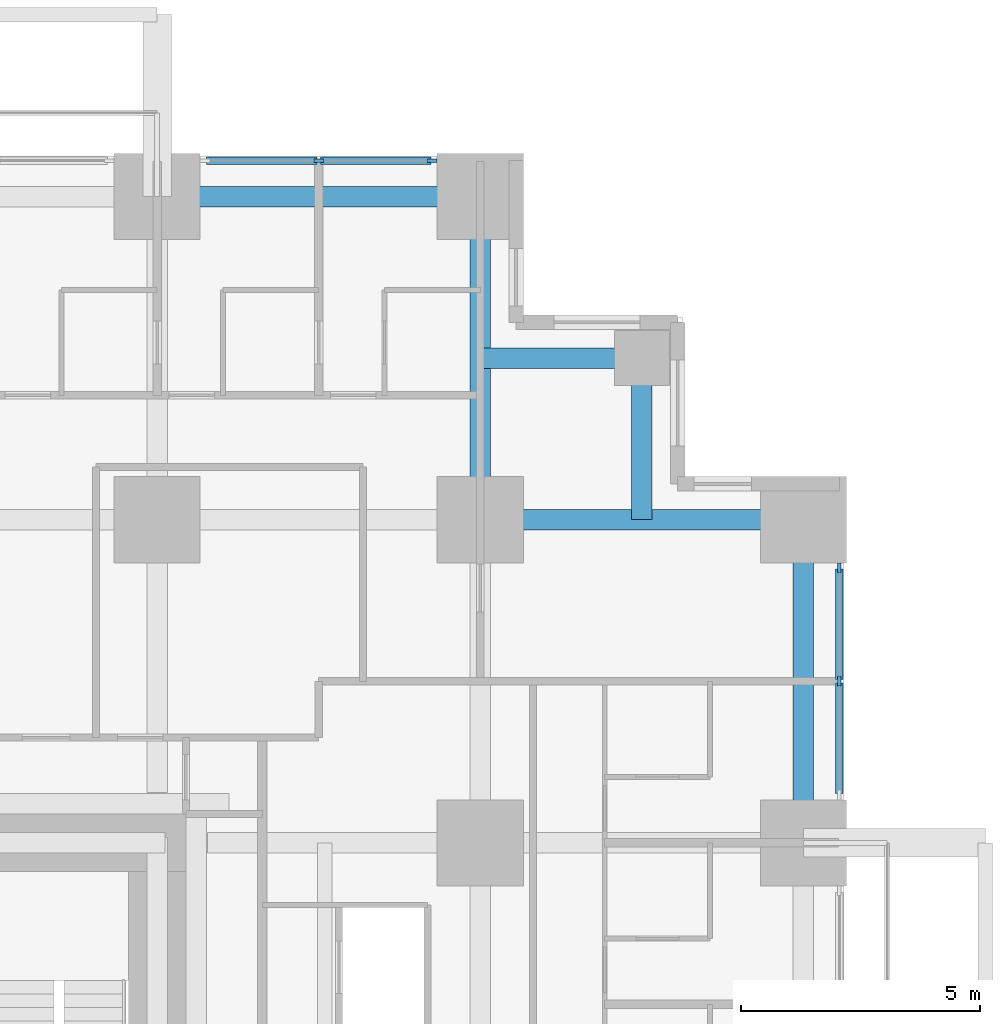
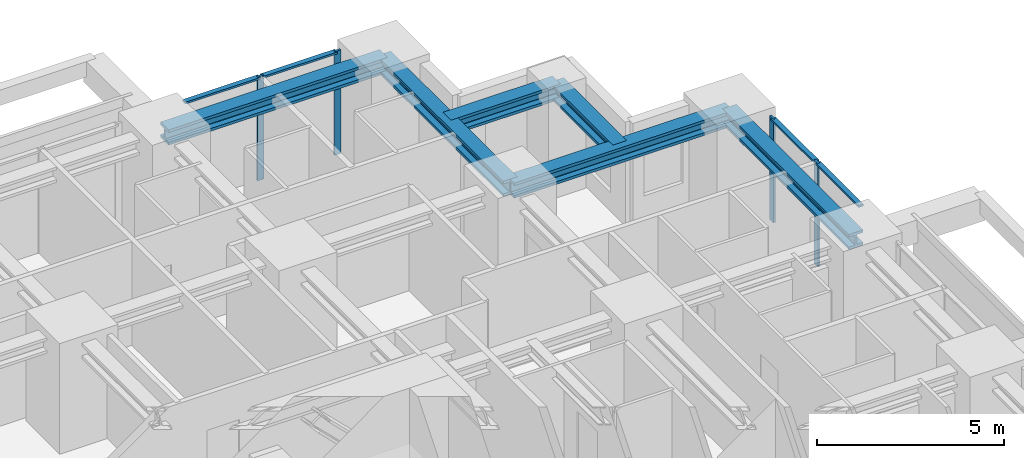
# One storey, part 6 of 15: 8 members, 6 beams, 2 elements without a shape of their own.
"""IFC4 building model written with IfcOpenShell, lengths in metres."""

from ifc_helpers import new_model, si_unit, direction, frame, origin, origin_2d, place, context, subcontext, project, spatial, rectangle, i_section, extrude, material, material_profile, profile_set, type_object, element, aggregate, save


model = new_model("IFC4")

# Units and contexts
model_context = context("Model", 3, precision=1e-05, world=origin(), true_north=direction((0.0, 1.0)))
body_context = subcontext(model_context, "Body", "Model", "MODEL_VIEW")
ifc_project = project(units=[si_unit("LENGTHUNIT", "METRE"), si_unit("AREAUNIT", "SQUARE_METRE"), si_unit("VOLUMEUNIT", "CUBIC_METRE"), si_unit("PLANEANGLEUNIT", "RADIAN"), si_unit("MASSUNIT", "GRAM", prefix="KILO")], contexts=[model_context])

# Site, building, storey
site_placement = place(None, origin())
site = spatial("IfcSite", under=ifc_project, at=site_placement, CompositionType="ELEMENT")
building_placement = place(site_placement, origin())
building = spatial("IfcBuilding", under=site, at=building_placement, Name="Nyansa Garden Tower", CompositionType="ELEMENT")
storey_placement = place(building_placement, frame((0.0, 0.0, 61.199951171875)))
storey = spatial("IfcBuildingStorey", under=building, at=storey_placement, Name="L16", CompositionType="ELEMENT", Elevation=61.199951171875)

# Curtain wall, members
ifc_material_1 = material(Name="Black anodised aluminium, dark tinted double glazing", Category="aluminium")
curtain_wall_type = type_object("IfcCurtainWallType", Name="Inner skin curtain wall ISW-A", PredefinedType="USERDEFINED", material=ifc_material_1)
curtain_wall_1_placement = place(storey_placement, origin())
curtain_wall_1 = element("IfcCurtainWall", 1, at=curtain_wall_1_placement, inside=storey, type_object=curtain_wall_type, Name="Inner skin curtain wall L16 E", ObjectType="UNITISED CURTAIN WALL", PredefinedType="USERDEFINED")
ifc_material_2 = material(Name="Black anodised aluminium", Category="aluminium")
ifc_material_profile_1 = material_profile(ifc_material_2, rectangle(XDim=0.06494140625, YDim=0.199951171875, at=origin_2d()), Name="Mullion 200x65")
ifc_profile_set_1 = profile_set([ifc_material_profile_1], Name="Black anodised aluminium")
member_type_1 = type_object("IfcMemberType", Name="Mullion ISW-A 200x65", PredefinedType="MULLION", material=ifc_profile_set_1)
member_1_placement = place(storey_placement, frame((41.25, 30.375, 0.0), z_axis=(0.0, 0.0, 1.0), x_axis=(-1.0, 0.0, 0.0)))
member_1 = element("IfcMember", 2, at=member_1_placement, type_object=member_type_1, Name="ISW-A mullion 2", PredefinedType="MULLION", context=body_context, shape_type="SweptSolid", body=[
    extrude(rectangle(XDim=0.06494140625, YDim=0.199951171875, at=origin_2d()), origin(), (0.0, 0.0, 1.0), 3.375),
])
member_2_placement = place(storey_placement, frame((41.25, 32.75, 0.0), z_axis=(0.0, 0.0, 1.0), x_axis=(-1.0, 0.0, 0.0)))
member_2 = element("IfcMember", 3, at=member_2_placement, type_object=member_type_1, Name="ISW-A mullion 3", PredefinedType="MULLION", context=body_context, shape_type="SweptSolid", body=[
    extrude(rectangle(XDim=0.06494140625, YDim=0.199951171875, at=origin_2d()), origin(), (0.0, 0.0, 1.0), 3.375),
])

curtain_wall_2_placement = place(storey_placement, origin())
curtain_wall_2 = element("IfcCurtainWall", 4, at=curtain_wall_2_placement, inside=storey, type_object=curtain_wall_type, Name="Inner skin curtain wall L16 N", ObjectType="UNITISED CURTAIN WALL", PredefinedType="USERDEFINED")
member_3_placement = place(storey_placement, frame((32.75, 41.25, 0.0), z_axis=(0.0, 0.0, 1.0), x_axis=(0.0, -1.0, 0.0)))
member_3 = element("IfcMember", 5, at=member_3_placement, type_object=member_type_1, Name="ISW-A mullion 1", PredefinedType="MULLION", context=body_context, shape_type="SweptSolid", body=[
    extrude(rectangle(XDim=0.06494140625, YDim=0.199951171875, at=origin_2d()), origin(), (0.0, 0.0, 1.0), 3.375),
])
member_4_placement = place(storey_placement, frame((30.375, 41.25, 0.0), z_axis=(0.0, 0.0, 1.0), x_axis=(0.0, -1.0, 0.0)))
member_4 = element("IfcMember", 6, at=member_4_placement, type_object=member_type_1, Name="ISW-A mullion 2", PredefinedType="MULLION", context=body_context, shape_type="SweptSolid", body=[
    extrude(rectangle(XDim=0.06494140625, YDim=0.199951171875, at=origin_2d()), origin(), (0.0, 0.0, 1.0), 3.375),
])

# Beams
ifc_material_3 = material(Name="Steel S355", Category="steel")
ifc_material_profile_2 = material_profile(ifc_material_3, i_section(OverallWidth=0.431884765625, OverallDepth=0.498046875, WebThickness=0.0556640625, FlangeThickness=0.0888671875, FilletRadius=0.014892578125, at=origin_2d()), Name="HD 400x744")
ifc_profile_set_2 = profile_set([ifc_material_profile_2], Name="Steel S355")
beam_type_1 = type_object("IfcBeamType", Name="Steel beam SBA1-744 HD 400x744", PredefinedType="BEAM", material=ifc_profile_set_2)
for number, where, z_axis, x_axis, name in (
    (7, (33.75, 33.75, 3.1259765625), (0.0, 1.0, 0.0), (-1.0, 0.0, 0.0), "Steel beam 7/J-7/K L17"),
    (8, (33.75, 33.75, 3.1259765625), (1.0, 0.0, 0.0), (0.0, 1.0, 0.0), "Steel beam 7/J-8/J L17"),
):
    element("IfcBeam", number, at=place(storey_placement, frame(where, z_axis=z_axis, x_axis=x_axis)), inside=storey, type_object=beam_type_1, Name=name, PredefinedType="BEAM", context=body_context, shape_type="SweptSolid", body=[
        extrude(i_section(OverallWidth=0.431884765625, OverallDepth=0.498046875, WebThickness=0.0556640625, FlangeThickness=0.0888671875, FilletRadius=0.014892578125, at=origin_2d()), origin(), (0.0, 0.0, 1.0), 6.75),
    ])
ifc_material_4 = material(Name="Steel S355", Category="steel")
ifc_material_profile_3 = material_profile(ifc_material_4, i_section(OverallWidth=0.431884765625, OverallDepth=0.498046875, WebThickness=0.0556640625, FlangeThickness=0.0888671875, FilletRadius=0.014892578125, at=origin_2d()), Name="HD 400x744")
ifc_profile_set_3 = profile_set([ifc_material_profile_3], Name="Steel S355")
beam_type_2 = type_object("IfcBeamType", Name="Steel beam SEBA-744 HD 400x744", PredefinedType="BEAM", material=ifc_profile_set_3)
for number, where, z_axis, x_axis, name in (
    (9, (27.0, 40.5, 3.1259765625), (1.0, 0.0, 0.0), (0.0, 1.0, 0.0), "Steel edge beam 6/K-7/K L17"),
    (10, (40.5, 27.0, 3.1259765625), (0.0, 1.0, 0.0), (-1.0, 0.0, 0.0), "Steel edge beam 8/H-8/J L17"),
):
    element("IfcBeam", number, at=place(storey_placement, frame(where, z_axis=z_axis, x_axis=x_axis)), inside=storey, type_object=beam_type_2, Name=name, PredefinedType="BEAM", context=body_context, shape_type="SweptSolid", body=[
        extrude(i_section(OverallWidth=0.431884765625, OverallDepth=0.498046875, WebThickness=0.0556640625, FlangeThickness=0.0888671875, FilletRadius=0.014892578125, at=origin_2d()), origin(), (0.0, 0.0, 1.0), 6.75),
    ])
ifc_material_5 = material(Name="Steel S355", Category="steel")
ifc_material_profile_4 = material_profile(ifc_material_5, i_section(OverallWidth=0.431884765625, OverallDepth=0.498046875, WebThickness=0.0556640625, FlangeThickness=0.0888671875, FilletRadius=0.014892578125, at=origin_2d()), Name="HD 400x744")
ifc_profile_set_4 = profile_set([ifc_material_profile_4], Name="Steel S355")
beam_type_3 = type_object("IfcBeamType", Name="Steel beam SSB1-744 HD 400x744", PredefinedType="BEAM", material=ifc_profile_set_4)
for number, where, z_axis, x_axis, name in (
    (11, (37.125, 37.125, 3.1259765625), (0.0, -1.0, 0.0), (1.0, 0.0, 0.0), "Steel step beam 37.125/37.125 L17"),
    (12, (37.125, 37.125, 3.1259765625), (-1.0, 0.0, 0.0), (0.0, -1.0, 0.0), "Steel step beam 37.125/37.125 L17"),
):
    element("IfcBeam", number, at=place(storey_placement, frame(where, z_axis=z_axis, x_axis=x_axis)), inside=storey, type_object=beam_type_3, Name=name, PredefinedType="BEAM", context=body_context, shape_type="SweptSolid", body=[
        extrude(i_section(OverallWidth=0.431884765625, OverallDepth=0.498046875, WebThickness=0.0556640625, FlangeThickness=0.0888671875, FilletRadius=0.014892578125, at=origin_2d()), origin(), (0.0, 0.0, 1.0), 3.375),
    ])

# Member
ifc_material_6 = material(Name="Black anodised aluminium", Category="aluminium")
ifc_material_profile_5 = material_profile(ifc_material_6, rectangle(XDim=0.14990234375, YDim=0.06494140625, at=origin_2d()), Name="Transom 150x65")
ifc_profile_set_5 = profile_set([ifc_material_profile_5], Name="Black anodised aluminium")
member_type_2 = type_object("IfcMemberType", Name="Transom ISW-A 150x65", PredefinedType="USERDEFINED", material=ifc_profile_set_5)
member_5_placement = place(storey_placement, frame((41.25, 28.032470703125, 3.342529296875), z_axis=(0.0, 1.0, 0.0), x_axis=(-1.0, 0.0, 0.0)))
member_5 = element("IfcMember", 13, at=member_5_placement, type_object=member_type_2, Name="ISW-A transom 1", ObjectType="TRANSOM", PredefinedType="USERDEFINED", context=body_context, shape_type="SweptSolid", body=[
    extrude(rectangle(XDim=0.14990234375, YDim=0.06494140625, at=origin_2d()), origin(), (0.0, 0.0, 1.0), 2.31005859375),
])

member_6_placement = place(storey_placement, frame((41.25, 30.407470703125, 3.342529296875), z_axis=(0.0, 1.0, 0.0), x_axis=(-1.0, 0.0, 0.0)))
member_6 = element("IfcMember", 14, at=member_6_placement, type_object=member_type_2, Name="ISW-A transom 2", ObjectType="TRANSOM", PredefinedType="USERDEFINED", context=body_context, shape_type="SweptSolid", body=[
    extrude(rectangle(XDim=0.14990234375, YDim=0.06494140625, at=origin_2d()), origin(), (0.0, 0.0, 1.0), 2.31005859375),
])

aggregate(curtain_wall_1, [member_1, member_2, member_5, member_6])

member_7_placement = place(storey_placement, frame((32.717529296875, 41.25, 3.342529296875), z_axis=(-1.0, 0.0, 0.0), x_axis=(0.0, -1.0, 0.0)))
member_7 = element("IfcMember", 15, at=member_7_placement, type_object=member_type_2, Name="ISW-A transom 1", ObjectType="TRANSOM", PredefinedType="USERDEFINED", context=body_context, shape_type="SweptSolid", body=[
    extrude(rectangle(XDim=0.14990234375, YDim=0.06494140625, at=origin_2d()), origin(), (0.0, 0.0, 1.0), 2.31005859375),
])

member_8_placement = place(storey_placement, frame((30.342529296875, 41.25, 3.342529296875), z_axis=(-1.0, 0.0, 0.0), x_axis=(0.0, -1.0, 0.0)))
member_8 = element("IfcMember", 16, at=member_8_placement, type_object=member_type_2, Name="ISW-A transom 2", ObjectType="TRANSOM", PredefinedType="USERDEFINED", context=body_context, shape_type="SweptSolid", body=[
    extrude(rectangle(XDim=0.14990234375, YDim=0.06494140625, at=origin_2d()), origin(), (0.0, 0.0, 1.0), 2.31005859375),
])

aggregate(curtain_wall_2, [member_3, member_4, member_7, member_8])

save(model, "model.ifc")
